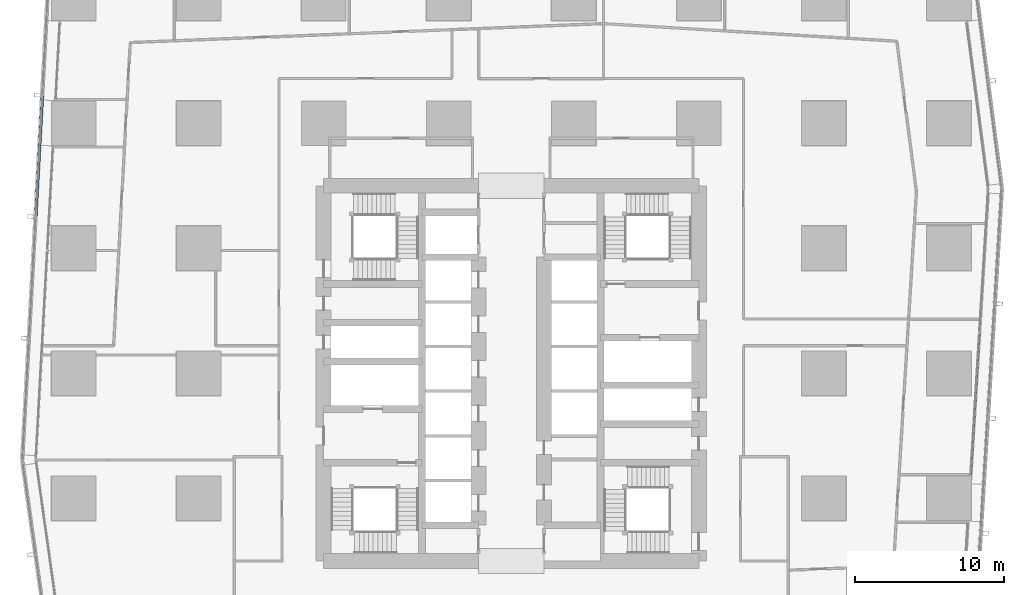
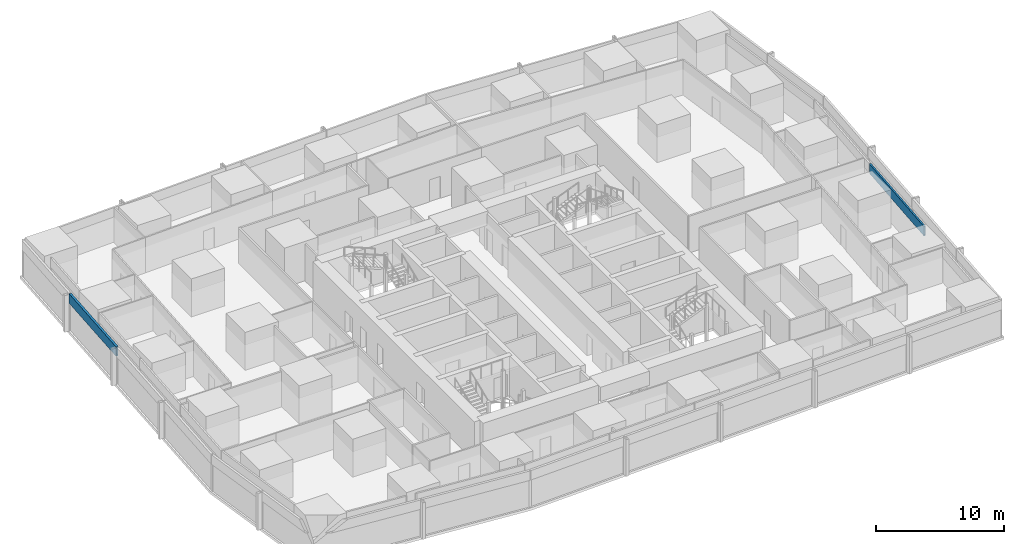
# One storey, part 13 of 39: 2 members, 2 elements without a shape of their own.
"""IFC4 building model written with IfcOpenShell, lengths in metres."""

from ifc_helpers import new_model, si_unit, direction, frame, origin, origin_2d, place, context, subcontext, project, spatial, hollow_rectangle, extrude, material, material_profile, profile_set, type_object, element, aggregate, save


model = new_model("IFC4")

# Units and contexts
model_context = context("Model", 3, precision=1e-05, world=origin(), true_north=direction((0.0, 1.0)))
body_context = subcontext(model_context, "Body", "Model", "MODEL_VIEW")
ifc_project = project(units=[si_unit("LENGTHUNIT", "METRE"), si_unit("AREAUNIT", "SQUARE_METRE"), si_unit("VOLUMEUNIT", "CUBIC_METRE"), si_unit("PLANEANGLEUNIT", "RADIAN"), si_unit("MASSUNIT", "GRAM", prefix="KILO")], contexts=[model_context])

# Site, building, storey
site_placement = place(None, origin())
site = spatial("IfcSite", under=ifc_project, at=site_placement, CompositionType="ELEMENT")
building_placement = place(site_placement, origin())
building = spatial("IfcBuilding", under=site, at=building_placement, Name="Rekha Terrace Tower", CompositionType="ELEMENT")
storey_placement = place(building_placement, frame((0.0, 0.0, 155.300048828125)))
storey = spatial("IfcBuildingStorey", under=building, at=storey_placement, Name="L39", CompositionType="ELEMENT", Elevation=155.300048828125)

# Curtain wall, member
ifc_material_1 = material(Name="Aluminium framing", Category="aluminium")
curtain_wall_type_1 = type_object("IfcCurtainWallType", Name="CW1 double skin inner glazing", PredefinedType="USERDEFINED", material=ifc_material_1)
curtain_wall_1_placement = place(storey_placement, origin())
curtain_wall_1 = element("IfcCurtainWall", 1, at=curtain_wall_1_placement, inside=storey, type_object=curtain_wall_type_1, Name="CW1 double skin inner glazing", ObjectType="DOUBLE SKIN INNER GLAZING", PredefinedType="USERDEFINED")
ifc_material_2 = material(Name="Insulated aluminium spandrel box", Category="aluminium")
ifc_material_profile_1 = material_profile(ifc_material_2, hollow_rectangle(XDim=0.14990234375, YDim=0.89990234375, WallThickness=0.0029296875, at=origin_2d()), Name="AL SPANDREL BOX 150x900")
ifc_profile_set_1 = profile_set([ifc_material_profile_1], Name="Insulated aluminium spandrel box")
member_type_1 = type_object("IfcMemberType", Name="CW1 spandrel transom 150 x 900", PredefinedType="USERDEFINED", material=ifc_profile_set_1)
member_1_placement = place(storey_placement, frame((68.660400390625, 26.78759765625, 3.050048828125), z_axis=(0.061156867669, 0.998128166889, 0.0), x_axis=(-0.998128166889, 0.061156867669, 0.0)))
member_1 = element("IfcMember", 2, at=member_1_placement, type_object=member_type_1, Name="CW1 spandrel transom 1", ObjectType="TRANSOM", PredefinedType="USERDEFINED", context=body_context, shape_type="SweptSolid", body=[
    extrude(hollow_rectangle(XDim=0.14990234375, YDim=0.89990234375, WallThickness=0.0029296875, at=origin_2d()), origin(), (0.0, 0.0, 1.0), 9.544921875),
])
aggregate(curtain_wall_1, [member_1])

curtain_wall_type_2 = type_object("IfcCurtainWallType", Name="CW2 double skin outer glazing", PredefinedType="USERDEFINED", material=ifc_material_1)
curtain_wall_2_placement = place(storey_placement, origin())
curtain_wall_2 = element("IfcCurtainWall", 3, at=curtain_wall_2_placement, inside=storey, type_object=curtain_wall_type_2, Name="CW2 double skin outer glazing", ObjectType="DOUBLE SKIN OUTER GLAZING", PredefinedType="USERDEFINED")
ifc_material_profile_2 = material_profile(ifc_material_2, hollow_rectangle(XDim=0.199951171875, YDim=0.89990234375, WallThickness=0.0029296875, at=origin_2d()), Name="AL SPANDREL BOX 200x900")
ifc_profile_set_2 = profile_set([ifc_material_profile_2], Name="Insulated aluminium spandrel box")
member_type_2 = type_object("IfcMemberType", Name="CW2 spandrel transom 200 x 900", PredefinedType="USERDEFINED", material=ifc_profile_set_2)
member_2_placement = place(storey_placement, frame((6.3017578125, 52.23828125, 3.050048828125), z_axis=(-0.054735499102, -0.998500888902, 0.0), x_axis=(0.998500888902, -0.054735499102, 0.0)))
member_2 = element("IfcMember", 4, at=member_2_placement, type_object=member_type_2, Name="CW2 spandrel transom 2", ObjectType="TRANSOM", PredefinedType="USERDEFINED", context=body_context, shape_type="SweptSolid", body=[
    extrude(hollow_rectangle(XDim=0.199951171875, YDim=0.89990234375, WallThickness=0.0029296875, at=origin_2d()), origin(), (0.0, 0.0, 1.0), 8.10009765625),
])
aggregate(curtain_wall_2, [member_2])

save(model, "model.ifc")
